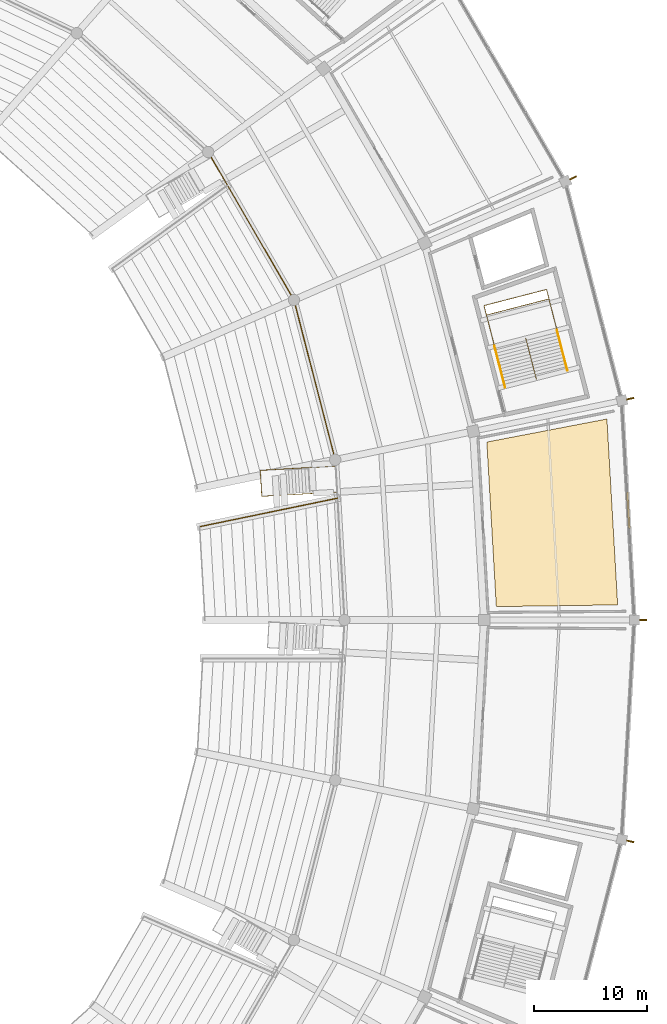
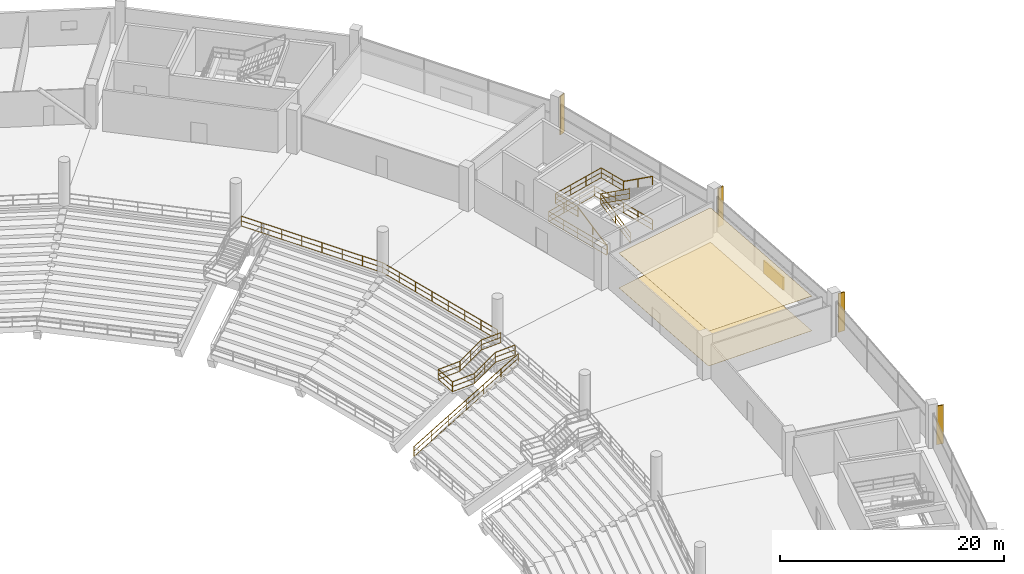
# One storey, part 151 of 156: 9 railings, 5 shading devices, 2 coverings.
"""IFC4 building model written with IfcOpenShell, lengths in metres."""

from ifc_helpers import new_model, si_unit, direction, frame, origin, origin_2d, place, context, subcontext, project, spatial, polyline, rectangle, outline, extrude, material, layer, layer_set, type_object, element, save


model = new_model("IFC4")

# Units and contexts
model_context = context("Model", 3, precision=1e-05, world=origin(), true_north=direction((0.0, 1.0)))
body_context = subcontext(model_context, "Body", "Model", "MODEL_VIEW")
ifc_project = project(units=[si_unit("LENGTHUNIT", "METRE"), si_unit("AREAUNIT", "SQUARE_METRE"), si_unit("VOLUMEUNIT", "CUBIC_METRE"), si_unit("PLANEANGLEUNIT", "RADIAN"), si_unit("MASSUNIT", "GRAM", prefix="KILO")], contexts=[model_context])

# Site, building, storey
site_placement = place(None, origin())
site = spatial("IfcSite", under=ifc_project, at=site_placement, CompositionType="ELEMENT")
building_placement = place(site_placement, origin())
building = spatial("IfcBuilding", under=site, at=building_placement, Name="Kazemori Nagisa Stadium", CompositionType="ELEMENT")
storey_placement = place(building_placement, frame((0.0, 0.0, 5.780029296875)))
storey = spatial("IfcBuildingStorey", under=building, at=storey_placement, Name="L01", CompositionType="ELEMENT", Elevation=5.780029296875)

# Coverings
ifc_material_1 = material(Name="Mineral-fibre acoustic board", Category="gypsum")
ifc_layer_1 = layer(ifc_material_1, 0.02001953125, Name="Mineral-fibre acoustic board", Category="gypsum")
ifc_layer_set_1 = layer_set([ifc_layer_1], Name="Mineral-fibre acoustic board")
covering_type_1 = type_object("IfcCoveringType", Name="Cov_CEIL", PredefinedType="CEILING", material=ifc_layer_set_1)
covering_1_placement = place(storey_placement, frame((0.0, 0.0, 3.77001953125)))
element("IfcCovering", 1, at=covering_1_placement, inside=storey, type_object=covering_type_1, Name="Acoustic ceiling L01-B01", PredefinedType="CEILING", context=body_context, shape_type="SweptSolid", body=[
    extrude(outline(polyline([(205.771728515625, 103.18408203125), (204.932373046875, 117.730712890625), (215.5498046875, 119.769287109375), (216.497802734375, 103.33740234375), (205.771728515625, 103.18408203125)])), origin(), (0.0, 0.0, 1.0), 0.02001953125),
])
ifc_material_2 = material(Name="Porcelain stoneware tile", Category="masonry")
ifc_layer_2 = layer(ifc_material_2, 0.02490234375, Name="Porcelain stoneware tile", Category="masonry")
ifc_layer_set_2 = layer_set([ifc_layer_2], Name="Porcelain stoneware tile")
covering_type_2 = type_object("IfcCoveringType", Name="Cov_FLOOR", PredefinedType="FLOORING", material=ifc_layer_set_2)
covering_2_placement = place(storey_placement, origin())
element("IfcCovering", 2, at=covering_2_placement, inside=storey, type_object=covering_type_2, Name="Porcelain floor finish L01-B01", PredefinedType="FLOORING", context=body_context, shape_type="SweptSolid", body=[
    extrude(outline(polyline([(205.771728515625, 103.18408203125), (204.932373046875, 117.730712890625), (215.5498046875, 119.769287109375), (216.497802734375, 103.33740234375), (205.771728515625, 103.18408203125)])), origin(), (0.0, 0.0, 1.0), 0.02490234375),
])

# Shading devices
ifc_material_3 = material(Name="Aluminium 6063-T5 anodised", Category="aluminium")
shading_device_type_1 = type_object("IfcShadingDeviceType", Name="Fin_FN01", PredefinedType="USERDEFINED", material=ifc_material_3)
for number, where, z_axis, x_axis, name in (
    (3, (218.7548828125, 102.0, 0.0), (0.0, 0.0, 1.0), (1.0, 0.0, 0.0), "Aerodynamic wave shading fin L01-01"),
    (4, (217.616943359375, 121.565673828125, 0.0), (0.0, 0.0, 1.0), (0.974927912182, 0.222520933954, 0.0), "Aerodynamic wave shading fin L01-02"),
    (5, (212.565185546875, 141.0771484375, 0.0), (0.0, 0.0, 1.0), (0.900968867905, 0.433883739113, 0.0), "Aerodynamic wave shading fin L01-03"),
    (6, (217.616943359375, 82.434326171875, 0.0), (0.0, 0.0, 1.0), (0.974927912182, -0.222520933954, 0.0), "Aerodynamic wave shading fin L01-28"),
):
    element("IfcShadingDevice", number, at=place(storey_placement, frame(where, z_axis=z_axis, x_axis=x_axis)), inside=storey, type_object=shading_device_type_1, Name=name, ObjectType="FIN", PredefinedType="USERDEFINED", context=body_context, shape_type="SweptSolid", body=[
        extrude(rectangle(XDim=0.64990234375, YDim=0.1201171875, at=origin_2d()), origin(), (0.0, 0.0, 1.0), 4.199951171875),
    ])
shading_device_type_2 = type_object("IfcShadingDeviceType", Name="Louvre_LV01", PredefinedType="JALOUSIE", material=ifc_material_3)
shading_device_placement = place(storey_placement, frame((217.4404296875, 111.69873046875, -0.010009765625), z_axis=(0.0, 0.0, 1.0), x_axis=(-0.057601670941, 0.998339645364, 0.0)))
element("IfcShadingDevice", 7, at=shading_device_placement, inside=storey, type_object=shading_device_type_2, Name="Concourse ventilation louvre L01-B01", PredefinedType="JALOUSIE", context=body_context, shape_type="SweptSolid", body=[
    extrude(rectangle(XDim=3.199951171875, YDim=0.179931640625, at=origin_2d()), origin(), (0.0, 0.0, 1.0), 1.39990234375),
])

# Railings
ifc_material_4 = material(Name="Laminated safety glass and stainless steel SUS304", Category="steel")
railing_type_1 = type_object("IfcRailingType", Name="Rail_BAL", PredefinedType="BALUSTRADE", material=ifc_material_4)
railing_1_placement = place(storey_placement, frame((191.532958984375, 116.160400390625, 0.0)))
element("IfcRailing", 8, at=railing_1_placement, inside=storey, type_object=railing_type_1, Name="Concourse bowl balustrade L01-B02", PredefinedType="BALUSTRADE", context=body_context, shape_type="SweptSolid", body=[
    extrude(rectangle(XDim=0.050048828125, YDim=0.050048828125, at=origin_2d()), frame((0.0, 0.0, 1.09521484375), z_axis=(-0.249966077383, 0.9682545947, 0.0), x_axis=(-0.9682545947, -0.249966077383, 0.0)), (0.0, 0.0, 1.0), 14.58984375),
    extrude(rectangle(XDim=0.03759765625, YDim=0.03759765625, at=origin_2d()), frame((0.0, 0.0, 0.58251953125), z_axis=(-0.249966077383, 0.9682545947, 0.0), x_axis=(-0.9682545947, -0.249966077383, 0.0)), (0.0, 0.0, 1.0), 14.58984375),
    extrude(rectangle(XDim=0.03759765625, YDim=0.03759765625, at=origin_2d()), frame((0.0, 0.0, 0.02490234375), z_axis=(-0.249966077383, 0.9682545947, 0.0), x_axis=(-0.9682545947, -0.249966077383, 0.0)), (0.0, 0.0, 1.0), 14.58984375),
    extrude(rectangle(XDim=0.044921875, YDim=0.044921875, at=origin_2d()), origin(), (0.0, 0.0, 1.0), 1.070068359375),
    extrude(rectangle(XDim=0.044921875, YDim=0.044921875, at=origin_2d()), frame((-0.52099609375, 2.01806640625, 0.0)), (0.0, 0.0, 1.0), 1.070068359375),
    extrude(rectangle(XDim=0.044921875, YDim=0.044921875, at=origin_2d()), frame((-1.0419921875, 4.0361328125, 0.0)), (0.0, 0.0, 1.0), 1.070068359375),
    extrude(rectangle(XDim=0.044921875, YDim=0.044921875, at=origin_2d()), frame((-1.56298828125, 6.05419921875, 0.0)), (0.0, 0.0, 1.0), 1.070068359375),
    extrude(rectangle(XDim=0.044921875, YDim=0.044921875, at=origin_2d()), frame((-2.083984375, 8.072509765625, 0.0)), (0.0, 0.0, 1.0), 1.070068359375),
    extrude(rectangle(XDim=0.044921875, YDim=0.044921875, at=origin_2d()), frame((-2.60498046875, 10.090576171875, 0.0)), (0.0, 0.0, 1.0), 1.070068359375),
    extrude(rectangle(XDim=0.044921875, YDim=0.044921875, at=origin_2d()), frame((-3.1259765625, 12.108642578125, 0.0)), (0.0, 0.0, 1.0), 1.070068359375),
    extrude(rectangle(XDim=0.044921875, YDim=0.044921875, at=origin_2d()), frame((-3.64697265625, 14.126708984375, 0.0)), (0.0, 0.0, 1.0), 1.070068359375),
])
railing_2_placement = place(storey_placement, frame((187.885986328125, 130.287109375, 0.0)))
element("IfcRailing", 9, at=railing_2_placement, inside=storey, type_object=railing_type_1, Name="Concourse bowl balustrade L01-B03", PredefinedType="BALUSTRADE", context=body_context, shape_type="SweptSolid", body=[
    extrude(rectangle(XDim=0.050048828125, YDim=0.050048828125, at=origin_2d()), frame((0.0, 0.0, 1.09521484375), z_axis=(-0.501614770263, 0.865091106332, 0.0), x_axis=(-0.865091106332, -0.501614770263, 0.0)), (0.0, 0.0, 1.0), 14.570068359375),
    extrude(rectangle(XDim=0.03759765625, YDim=0.03759765625, at=origin_2d()), frame((0.0, 0.0, 0.58251953125), z_axis=(-0.501614770263, 0.865091106332, 0.0), x_axis=(-0.865091106332, -0.501614770263, 0.0)), (0.0, 0.0, 1.0), 14.570068359375),
    extrude(rectangle(XDim=0.03759765625, YDim=0.03759765625, at=origin_2d()), frame((0.0, 0.0, 0.02490234375), z_axis=(-0.501614770263, 0.865091106332, 0.0), x_axis=(-0.865091106332, -0.501614770263, 0.0)), (0.0, 0.0, 1.0), 14.570068359375),
    extrude(rectangle(XDim=0.044921875, YDim=0.044921875, at=origin_2d()), origin(), (0.0, 0.0, 1.0), 1.070068359375),
    extrude(rectangle(XDim=0.044921875, YDim=0.044921875, at=origin_2d()), frame((-1.044189453125, 1.800537109375, 0.0)), (0.0, 0.0, 1.0), 1.070068359375),
    extrude(rectangle(XDim=0.044921875, YDim=0.044921875, at=origin_2d()), frame((-2.088134765625, 3.601318359375, 0.0)), (0.0, 0.0, 1.0), 1.070068359375),
    extrude(rectangle(XDim=0.044921875, YDim=0.044921875, at=origin_2d()), frame((-3.13232421875, 5.40185546875, 0.0)), (0.0, 0.0, 1.0), 1.070068359375),
    extrude(rectangle(XDim=0.044921875, YDim=0.044921875, at=origin_2d()), frame((-4.17626953125, 7.20263671875, 0.0)), (0.0, 0.0, 1.0), 1.070068359375),
    extrude(rectangle(XDim=0.044921875, YDim=0.044921875, at=origin_2d()), frame((-5.220458984375, 9.003173828125, 0.0)), (0.0, 0.0, 1.0), 1.070068359375),
    extrude(rectangle(XDim=0.044921875, YDim=0.044921875, at=origin_2d()), frame((-6.264404296875, 10.803955078125, 0.0)), (0.0, 0.0, 1.0), 1.070068359375),
    extrude(rectangle(XDim=0.044921875, YDim=0.044921875, at=origin_2d()), frame((-7.30859375, 12.6044921875, 0.0)), (0.0, 0.0, 1.0), 1.070068359375),
])
ifc_material_5 = material(Name="Galvanised powder-coated steel", Category="steel")
railing_type_2 = type_object("IfcRailingType", Name="Rail_GUARD", PredefinedType="GUARDRAIL", material=ifc_material_5)
railing_3_placement = place(storey_placement, frame((206.533447265625, 122.641357421875, 0.0)))
element("IfcRailing", 10, at=railing_3_placement, inside=storey, type_object=railing_type_2, Name="Stair well perimeter guard ST07-L01", PredefinedType="GUARDRAIL", context=body_context, shape_type="SweptSolid", body=[
    extrude(rectangle(XDim=0.050048828125, YDim=0.050048828125, at=origin_2d()), frame((0.0, 0.0, 1.09521484375), z_axis=(-0.249962060638, 0.96825563166, 0.0), x_axis=(-0.96825563166, -0.249962060638, 0.0)), (0.0, 0.0, 1.0), 7.380126953125),
    extrude(rectangle(XDim=0.03759765625, YDim=0.03759765625, at=origin_2d()), frame((0.0, 0.0, 0.58251953125), z_axis=(-0.249962060638, 0.96825563166, 0.0), x_axis=(-0.96825563166, -0.249962060638, 0.0)), (0.0, 0.0, 1.0), 7.380126953125),
    extrude(rectangle(XDim=0.03759765625, YDim=0.03759765625, at=origin_2d()), frame((0.0, 0.0, 0.02490234375), z_axis=(-0.249962060638, 0.96825563166, 0.0), x_axis=(-0.96825563166, -0.249962060638, 0.0)), (0.0, 0.0, 1.0), 7.380126953125),
    extrude(rectangle(XDim=0.050048828125, YDim=0.050048828125, at=origin_2d()), frame((-1.8447265625, 7.145751953125, 1.09521484375), z_axis=(0.968254587534, 0.249966105142, 0.0), x_axis=(-0.249966105142, 0.968254587534, 0.0)), (0.0, 0.0, 1.0), 5.699951171875),
    extrude(rectangle(XDim=0.03759765625, YDim=0.03759765625, at=origin_2d()), frame((-1.8447265625, 7.145751953125, 0.58251953125), z_axis=(0.968254587534, 0.249966105142, 0.0), x_axis=(-0.249966105142, 0.968254587534, 0.0)), (0.0, 0.0, 1.0), 5.699951171875),
    extrude(rectangle(XDim=0.03759765625, YDim=0.03759765625, at=origin_2d()), frame((-1.8447265625, 7.145751953125, 0.02490234375), z_axis=(0.968254587534, 0.249966105142, 0.0), x_axis=(-0.249966105142, 0.968254587534, 0.0)), (0.0, 0.0, 1.0), 5.699951171875),
    extrude(rectangle(XDim=0.050048828125, YDim=0.050048828125, at=origin_2d()), frame((3.67431640625, 8.570556640625, 1.09521484375), z_axis=(0.249962060638, -0.96825563166, 0.0), x_axis=(0.96825563166, 0.249962060638, 0.0)), (0.0, 0.0, 1.0), 7.380126953125),
    extrude(rectangle(XDim=0.03759765625, YDim=0.03759765625, at=origin_2d()), frame((3.67431640625, 8.570556640625, 0.58251953125), z_axis=(0.249962060638, -0.96825563166, 0.0), x_axis=(0.96825563166, 0.249962060638, 0.0)), (0.0, 0.0, 1.0), 7.380126953125),
    extrude(rectangle(XDim=0.03759765625, YDim=0.03759765625, at=origin_2d()), frame((3.67431640625, 8.570556640625, 0.02490234375), z_axis=(0.249962060638, -0.96825563166, 0.0), x_axis=(0.96825563166, 0.249962060638, 0.0)), (0.0, 0.0, 1.0), 7.380126953125),
    extrude(rectangle(XDim=0.044921875, YDim=0.044921875, at=origin_2d()), origin(), (0.0, 0.0, 1.0), 1.070068359375),
    extrude(rectangle(XDim=0.044921875, YDim=0.044921875, at=origin_2d()), frame((-0.461181640625, 1.786376953125, 0.0)), (0.0, 0.0, 1.0), 1.070068359375),
    extrude(rectangle(XDim=0.044921875, YDim=0.044921875, at=origin_2d()), frame((-0.92236328125, 3.57275390625, 0.0)), (0.0, 0.0, 1.0), 1.070068359375),
    extrude(rectangle(XDim=0.044921875, YDim=0.044921875, at=origin_2d()), frame((-1.383544921875, 5.359375, 0.0)), (0.0, 0.0, 1.0), 1.070068359375),
    extrude(rectangle(XDim=0.044921875, YDim=0.044921875, at=origin_2d()), frame((-1.8447265625, 7.145751953125, 0.0)), (0.0, 0.0, 1.0), 1.070068359375),
    extrude(rectangle(XDim=0.044921875, YDim=0.044921875, at=origin_2d()), frame((-0.005126953125, 7.62060546875, 0.0)), (0.0, 0.0, 1.0), 1.070068359375),
    extrude(rectangle(XDim=0.044921875, YDim=0.044921875, at=origin_2d()), frame((1.834716796875, 8.095703125, 0.0)), (0.0, 0.0, 1.0), 1.070068359375),
    extrude(rectangle(XDim=0.044921875, YDim=0.044921875, at=origin_2d()), frame((3.67431640625, 8.570556640625, 0.0)), (0.0, 0.0, 1.0), 1.070068359375),
    extrude(rectangle(XDim=0.044921875, YDim=0.044921875, at=origin_2d()), frame((4.135498046875, 6.7841796875, 0.0)), (0.0, 0.0, 1.0), 1.070068359375),
    extrude(rectangle(XDim=0.044921875, YDim=0.044921875, at=origin_2d()), frame((4.5966796875, 4.99755859375, 0.0)), (0.0, 0.0, 1.0), 1.070068359375),
    extrude(rectangle(XDim=0.044921875, YDim=0.044921875, at=origin_2d()), frame((5.057861328125, 3.211181640625, 0.0)), (0.0, 0.0, 1.0), 1.070068359375),
    extrude(rectangle(XDim=0.044921875, YDim=0.044921875, at=origin_2d()), frame((5.51904296875, 1.4248046875, 0.0)), (0.0, 0.0, 1.0), 1.070068359375),
])
railing_4_placement = place(storey_placement, frame((209.31298828125, 123.2763671875, 0.0)))
element("IfcRailing", 11, at=railing_4_placement, inside=storey, type_object=railing_type_2, Name="Stair central guard ST07-L01", PredefinedType="GUARDRAIL", context=body_context, shape_type="SweptSolid", body=[
    extrude(rectangle(XDim=0.050048828125, YDim=0.050048828125, at=origin_2d()), frame((0.0, 0.0, 1.09521484375), z_axis=(-0.211103181909, 0.817832618365, 0.535336580971), x_axis=(-0.968263113111, -0.249933078619, 0.0)), (0.0, 0.0, 1.0), 4.445556640625),
    extrude(rectangle(XDim=0.03759765625, YDim=0.03759765625, at=origin_2d()), frame((0.0, 0.0, 0.58251953125), z_axis=(-0.211103181909, 0.817832618365, 0.535336580971), x_axis=(-0.968263113111, -0.249933078619, 0.0)), (0.0, 0.0, 1.0), 4.445556640625),
    extrude(rectangle(XDim=0.03759765625, YDim=0.03759765625, at=origin_2d()), frame((0.0, 0.0, 0.02490234375), z_axis=(-0.211103181909, 0.817832618365, 0.535336580971), x_axis=(-0.968263113111, -0.249933078619, 0.0)), (0.0, 0.0, 1.0), 4.445556640625),
    extrude(rectangle(XDim=0.050048828125, YDim=0.050048828125, at=origin_2d()), frame((-0.9384765625, 3.6357421875, 3.47509765625), z_axis=(0.209769833821, -0.812704765535, 0.543606089825), x_axis=(0.96826591561, 0.249922221237, 0.0)), (0.0, 0.0, 1.0), 4.37841796875),
    extrude(rectangle(XDim=0.03759765625, YDim=0.03759765625, at=origin_2d()), frame((-0.9384765625, 3.6357421875, 2.96240234375), z_axis=(0.209769833821, -0.812704765535, 0.543606089825), x_axis=(0.96826591561, 0.249922221237, 0.0)), (0.0, 0.0, 1.0), 4.37841796875),
    extrude(rectangle(XDim=0.03759765625, YDim=0.03759765625, at=origin_2d()), frame((-0.9384765625, 3.6357421875, 2.40478515625), z_axis=(0.209769833821, -0.812704765535, 0.543606089825), x_axis=(0.96826591561, 0.249922221237, 0.0)), (0.0, 0.0, 1.0), 4.37841796875),
    extrude(rectangle(XDim=0.044921875, YDim=0.044921875, at=origin_2d()), origin(), (0.0, 0.0, 1.0), 1.070068359375),
    extrude(rectangle(XDim=0.044921875, YDim=0.044921875, at=origin_2d()), frame((-0.46923828125, 1.81787109375, 1.18994140625)), (0.0, 0.0, 1.0), 1.070068359375),
    extrude(rectangle(XDim=0.044921875, YDim=0.044921875, at=origin_2d()), frame((-0.9384765625, 3.6357421875, 2.3798828125)), (0.0, 0.0, 1.0), 1.070068359375),
    extrude(rectangle(XDim=0.044921875, YDim=0.044921875, at=origin_2d()), frame((-0.479248046875, 1.8564453125, 3.56982421875)), (0.0, 0.0, 1.0), 1.070068359375),
    extrude(rectangle(XDim=0.044921875, YDim=0.044921875, at=origin_2d()), frame((-0.02001953125, 0.077392578125, 4.760009765625)), (0.0, 0.0, 1.0), 1.070068359375),
])
railing_5_placement = place(storey_placement, frame((205.614990234375, 126.19970703125, 2.3798828125)))
element("IfcRailing", 12, at=railing_5_placement, inside=storey, type_object=railing_type_2, Name="Stair landing guard ST07-L01", PredefinedType="GUARDRAIL", context=body_context, shape_type="SweptSolid", body=[
    extrude(rectangle(XDim=0.050048828125, YDim=0.050048828125, at=origin_2d()), frame((0.0, 0.0, 1.09521484375), z_axis=(-0.249966105142, 0.968254587534, 0.0), x_axis=(-0.968254587534, -0.249966105142, 0.0)), (0.0, 0.0, 1.0), 2.85009765625),
    extrude(rectangle(XDim=0.03759765625, YDim=0.03759765625, at=origin_2d()), frame((0.0, 0.0, 0.58251953125), z_axis=(-0.249966105142, 0.968254587534, 0.0), x_axis=(-0.968254587534, -0.249966105142, 0.0)), (0.0, 0.0, 1.0), 2.85009765625),
    extrude(rectangle(XDim=0.03759765625, YDim=0.03759765625, at=origin_2d()), frame((0.0, 0.0, 0.02490234375), z_axis=(-0.249966105142, 0.968254587534, 0.0), x_axis=(-0.968254587534, -0.249966105142, 0.0)), (0.0, 0.0, 1.0), 2.85009765625),
    extrude(rectangle(XDim=0.050048828125, YDim=0.050048828125, at=origin_2d()), frame((-0.71240234375, 2.759521484375, 1.09521484375), z_axis=(0.968254587534, 0.249966105142, 0.0), x_axis=(-0.249966105142, 0.968254587534, 0.0)), (0.0, 0.0, 1.0), 5.699951171875),
    extrude(rectangle(XDim=0.03759765625, YDim=0.03759765625, at=origin_2d()), frame((-0.71240234375, 2.759521484375, 0.58251953125), z_axis=(0.968254587534, 0.249966105142, 0.0), x_axis=(-0.249966105142, 0.968254587534, 0.0)), (0.0, 0.0, 1.0), 5.699951171875),
    extrude(rectangle(XDim=0.03759765625, YDim=0.03759765625, at=origin_2d()), frame((-0.71240234375, 2.759521484375, 0.02490234375), z_axis=(0.968254587534, 0.249966105142, 0.0), x_axis=(-0.249966105142, 0.968254587534, 0.0)), (0.0, 0.0, 1.0), 5.699951171875),
    extrude(rectangle(XDim=0.050048828125, YDim=0.050048828125, at=origin_2d()), frame((4.806640625, 4.184326171875, 1.09521484375), z_axis=(0.249966105142, -0.968254587534, 0.0), x_axis=(0.968254587534, 0.249966105142, 0.0)), (0.0, 0.0, 1.0), 2.85009765625),
    extrude(rectangle(XDim=0.03759765625, YDim=0.03759765625, at=origin_2d()), frame((4.806640625, 4.184326171875, 0.58251953125), z_axis=(0.249966105142, -0.968254587534, 0.0), x_axis=(0.968254587534, 0.249966105142, 0.0)), (0.0, 0.0, 1.0), 2.85009765625),
    extrude(rectangle(XDim=0.03759765625, YDim=0.03759765625, at=origin_2d()), frame((4.806640625, 4.184326171875, 0.02490234375), z_axis=(0.249966105142, -0.968254587534, 0.0), x_axis=(0.968254587534, 0.249966105142, 0.0)), (0.0, 0.0, 1.0), 2.85009765625),
    extrude(rectangle(XDim=0.044921875, YDim=0.044921875, at=origin_2d()), origin(), (0.0, 0.0, 1.0), 1.070068359375),
    extrude(rectangle(XDim=0.044921875, YDim=0.044921875, at=origin_2d()), frame((-0.356201171875, 1.3798828125, 0.0)), (0.0, 0.0, 1.0), 1.070068359375),
    extrude(rectangle(XDim=0.044921875, YDim=0.044921875, at=origin_2d()), frame((-0.71240234375, 2.759521484375, 0.0)), (0.0, 0.0, 1.0), 1.070068359375),
    extrude(rectangle(XDim=0.044921875, YDim=0.044921875, at=origin_2d()), frame((1.127197265625, 3.234375, 0.0)), (0.0, 0.0, 1.0), 1.070068359375),
    extrude(rectangle(XDim=0.044921875, YDim=0.044921875, at=origin_2d()), frame((2.967041015625, 3.70947265625, 0.0)), (0.0, 0.0, 1.0), 1.070068359375),
    extrude(rectangle(XDim=0.044921875, YDim=0.044921875, at=origin_2d()), frame((4.806640625, 4.184326171875, 0.0)), (0.0, 0.0, 1.0), 1.070068359375),
    extrude(rectangle(XDim=0.044921875, YDim=0.044921875, at=origin_2d()), frame((5.162841796875, 2.8046875, 0.0)), (0.0, 0.0, 1.0), 1.070068359375),
    extrude(rectangle(XDim=0.044921875, YDim=0.044921875, at=origin_2d()), frame((5.51904296875, 1.4248046875, 0.0)), (0.0, 0.0, 1.0), 1.070068359375),
])
railing_6_placement = place(storey_placement, frame((191.564697265625, 115.611328125, 0.0)))
element("IfcRailing", 13, at=railing_6_placement, inside=storey, type_object=railing_type_2, Name="Vomitory stair guard VL01", PredefinedType="GUARDRAIL", context=body_context, shape_type="SweptSolid", body=[
    extrude(rectangle(XDim=0.050048828125, YDim=0.050048828125, at=origin_2d()), frame((0.0, 0.0, 1.09521484375), z_axis=(-0.998335953918, -0.057665614667, 0.0), x_axis=(0.057665614667, -0.998335953918, 0.0)), (0.0, 0.0, 1.0), 2.099853515625),
    extrude(rectangle(XDim=0.03759765625, YDim=0.03759765625, at=origin_2d()), frame((0.0, 0.0, 0.58251953125), z_axis=(-0.998335953918, -0.057665614667, 0.0), x_axis=(0.057665614667, -0.998335953918, 0.0)), (0.0, 0.0, 1.0), 2.099853515625),
    extrude(rectangle(XDim=0.03759765625, YDim=0.03759765625, at=origin_2d()), frame((0.0, 0.0, 0.02490234375), z_axis=(-0.998335953918, -0.057665614667, 0.0), x_axis=(0.057665614667, -0.998335953918, 0.0)), (0.0, 0.0, 1.0), 2.099853515625),
    extrude(rectangle(XDim=0.050048828125, YDim=0.050048828125, at=origin_2d()), frame((-2.096435546875, -0.12109375, 1.09521484375), z_axis=(-0.840890420226, -0.048528726567, -0.539025290566), x_axis=(0.057615252206, -0.998338861666, 0.0)), (0.0, 0.0, 1.0), 2.67138671875),
    extrude(rectangle(XDim=0.03759765625, YDim=0.03759765625, at=origin_2d()), frame((-2.096435546875, -0.12109375, 0.58251953125), z_axis=(-0.840890420226, -0.048528726567, -0.539025290566), x_axis=(0.057615252206, -0.998338861666, 0.0)), (0.0, 0.0, 1.0), 2.67138671875),
    extrude(rectangle(XDim=0.03759765625, YDim=0.03759765625, at=origin_2d()), frame((-2.096435546875, -0.12109375, 0.02490234375), z_axis=(-0.840890420226, -0.048528726567, -0.539025290566), x_axis=(0.057615252206, -0.998338861666, 0.0)), (0.0, 0.0, 1.0), 2.67138671875),
    extrude(rectangle(XDim=0.050048828125, YDim=0.050048828125, at=origin_2d()), frame((-4.3427734375, -0.250732421875, -0.3447265625), z_axis=(-0.998341919289, -0.057562246216, 0.0), x_axis=(0.057562246216, -0.998341919289, 0.0)), (0.0, 0.0, 1.0), 2.320068359375),
    extrude(rectangle(XDim=0.03759765625, YDim=0.03759765625, at=origin_2d()), frame((-4.3427734375, -0.250732421875, -0.857421875), z_axis=(-0.998341919289, -0.057562246216, 0.0), x_axis=(0.057562246216, -0.998341919289, 0.0)), (0.0, 0.0, 1.0), 2.320068359375),
    extrude(rectangle(XDim=0.03759765625, YDim=0.03759765625, at=origin_2d()), frame((-4.3427734375, -0.250732421875, -1.4150390625), z_axis=(-0.998341919289, -0.057562246216, 0.0), x_axis=(0.057562246216, -0.998341919289, 0.0)), (0.0, 0.0, 1.0), 2.320068359375),
    extrude(rectangle(XDim=0.050048828125, YDim=0.050048828125, at=origin_2d()), frame((-6.658935546875, -0.38427734375, -0.3447265625), z_axis=(0.057639260964, -0.998337475804, 0.0), x_axis=(0.998337475804, 0.057639260964, 0.0)), (0.0, 0.0, 1.0), 2.300048828125),
    extrude(rectangle(XDim=0.03759765625, YDim=0.03759765625, at=origin_2d()), frame((-6.658935546875, -0.38427734375, -0.857421875), z_axis=(0.057639260964, -0.998337475804, 0.0), x_axis=(0.998337475804, 0.057639260964, 0.0)), (0.0, 0.0, 1.0), 2.300048828125),
    extrude(rectangle(XDim=0.03759765625, YDim=0.03759765625, at=origin_2d()), frame((-6.658935546875, -0.38427734375, -1.4150390625), z_axis=(0.057639260964, -0.998337475804, 0.0), x_axis=(0.998337475804, 0.057639260964, 0.0)), (0.0, 0.0, 1.0), 2.300048828125),
    extrude(rectangle(XDim=0.050048828125, YDim=0.050048828125, at=origin_2d()), frame((-6.5263671875, -2.680419921875, -0.3447265625), z_axis=(0.998341919289, 0.057562246216, 0.0), x_axis=(-0.057562246216, 0.998341919289, 0.0)), (0.0, 0.0, 1.0), 2.320068359375),
    extrude(rectangle(XDim=0.03759765625, YDim=0.03759765625, at=origin_2d()), frame((-6.5263671875, -2.680419921875, -0.857421875), z_axis=(0.998341919289, 0.057562246216, 0.0), x_axis=(-0.057562246216, 0.998341919289, 0.0)), (0.0, 0.0, 1.0), 2.320068359375),
    extrude(rectangle(XDim=0.03759765625, YDim=0.03759765625, at=origin_2d()), frame((-6.5263671875, -2.680419921875, -1.4150390625), z_axis=(0.998341919289, 0.057562246216, 0.0), x_axis=(-0.057562246216, 0.998341919289, 0.0)), (0.0, 0.0, 1.0), 2.320068359375),
    extrude(rectangle(XDim=0.050048828125, YDim=0.050048828125, at=origin_2d()), frame((-4.210205078125, -2.546875, -0.3447265625), z_axis=(0.840863648356, 0.048532456226, 0.539066717175), x_axis=(-0.057621493941, 0.998338501429, 0.0)), (0.0, 0.0, 1.0), 2.671142578125),
    extrude(rectangle(XDim=0.03759765625, YDim=0.03759765625, at=origin_2d()), frame((-4.210205078125, -2.546875, -0.857421875), z_axis=(0.840863648356, 0.048532456226, 0.539066717175), x_axis=(-0.057621493941, 0.998338501429, 0.0)), (0.0, 0.0, 1.0), 2.671142578125),
    extrude(rectangle(XDim=0.03759765625, YDim=0.03759765625, at=origin_2d()), frame((-4.210205078125, -2.546875, -1.4150390625), z_axis=(0.840863648356, 0.048532456226, 0.539066717175), x_axis=(-0.057621493941, 0.998338501429, 0.0)), (0.0, 0.0, 1.0), 2.671142578125),
    extrude(rectangle(XDim=0.050048828125, YDim=0.050048828125, at=origin_2d()), frame((-1.964111328125, -2.417236328125, 1.09521484375), z_axis=(0.998343025352, 0.057543059798, 0.0), x_axis=(-0.057543059798, 0.998343025352, 0.0)), (0.0, 0.0, 1.0), 2.10009765625),
    extrude(rectangle(XDim=0.03759765625, YDim=0.03759765625, at=origin_2d()), frame((-1.964111328125, -2.417236328125, 0.58251953125), z_axis=(0.998343025352, 0.057543059798, 0.0), x_axis=(-0.057543059798, 0.998343025352, 0.0)), (0.0, 0.0, 1.0), 2.10009765625),
    extrude(rectangle(XDim=0.03759765625, YDim=0.03759765625, at=origin_2d()), frame((-1.964111328125, -2.417236328125, 0.02490234375), z_axis=(0.998343025352, 0.057543059798, 0.0), x_axis=(-0.057543059798, 0.998343025352, 0.0)), (0.0, 0.0, 1.0), 2.10009765625),
    extrude(rectangle(XDim=0.044921875, YDim=0.044921875, at=origin_2d()), origin(), (0.0, 0.0, 1.0), 1.070068359375),
    extrude(rectangle(XDim=0.044921875, YDim=0.044921875, at=origin_2d()), frame((-2.096435546875, -0.12109375, 0.0)), (0.0, 0.0, 1.0), 1.070068359375),
    extrude(rectangle(XDim=0.044921875, YDim=0.044921875, at=origin_2d()), frame((-3.2197265625, -0.18603515625, -0.719970703125)), (0.0, 0.0, 1.0), 1.070068359375),
    extrude(rectangle(XDim=0.044921875, YDim=0.044921875, at=origin_2d()), frame((-4.3427734375, -0.250732421875, -1.43994140625)), (0.0, 0.0, 1.0), 1.070068359375),
    extrude(rectangle(XDim=0.044921875, YDim=0.044921875, at=origin_2d()), frame((-6.658935546875, -0.38427734375, -1.43994140625)), (0.0, 0.0, 1.0), 1.070068359375),
    extrude(rectangle(XDim=0.044921875, YDim=0.044921875, at=origin_2d()), frame((-6.5263671875, -2.680419921875, -1.43994140625)), (0.0, 0.0, 1.0), 1.070068359375),
    extrude(rectangle(XDim=0.044921875, YDim=0.044921875, at=origin_2d()), frame((-4.210205078125, -2.546875, -1.43994140625)), (0.0, 0.0, 1.0), 1.070068359375),
    extrude(rectangle(XDim=0.044921875, YDim=0.044921875, at=origin_2d()), frame((-3.087158203125, -2.48193359375, -0.719970703125)), (0.0, 0.0, 1.0), 1.070068359375),
    extrude(rectangle(XDim=0.044921875, YDim=0.044921875, at=origin_2d()), frame((-1.964111328125, -2.417236328125, 0.0)), (0.0, 0.0, 1.0), 1.070068359375),
    extrude(rectangle(XDim=0.044921875, YDim=0.044921875, at=origin_2d()), frame((0.132568359375, -2.29638671875, 0.0)), (0.0, 0.0, 1.0), 1.070068359375),
])
railing_7_placement = place(storey_placement, frame((179.5244140625, 110.244140625, -4.919921875)))
element("IfcRailing", 14, at=railing_7_placement, inside=storey, type_object=railing_type_2, Name="Lower tier vomitory aisle guard B01", PredefinedType="GUARDRAIL", context=body_context, shape_type="SweptSolid", body=[
    extrude(rectangle(XDim=0.050048828125, YDim=0.050048828125, at=origin_2d()), frame((0.0, 0.0, 1.09521484375), z_axis=(0.92529933426, 0.191190398359, 0.327516982144), x_axis=(-0.202351009117, 0.979313059807, 0.0)), (0.0, 0.0, 1.0), 13.189697265625),
    extrude(rectangle(XDim=0.03759765625, YDim=0.03759765625, at=origin_2d()), frame((0.0, 0.0, 0.58251953125), z_axis=(0.92529933426, 0.191190398359, 0.327516982144), x_axis=(-0.202351009117, 0.979313059807, 0.0)), (0.0, 0.0, 1.0), 13.189697265625),
    extrude(rectangle(XDim=0.03759765625, YDim=0.03759765625, at=origin_2d()), frame((0.0, 0.0, 0.02490234375), z_axis=(0.92529933426, 0.191190398359, 0.327516982144), x_axis=(-0.202351009117, 0.979313059807, 0.0)), (0.0, 0.0, 1.0), 13.189697265625),
    extrude(rectangle(XDim=0.044921875, YDim=0.044921875, at=origin_2d()), origin(), (0.0, 0.0, 1.0), 1.070068359375),
    extrude(rectangle(XDim=0.044921875, YDim=0.044921875, at=origin_2d()), frame((2.0341796875, 0.42041015625, 0.719970703125)), (0.0, 0.0, 1.0), 1.070068359375),
    extrude(rectangle(XDim=0.044921875, YDim=0.044921875, at=origin_2d()), frame((4.068115234375, 0.840576171875, 1.43994140625)), (0.0, 0.0, 1.0), 1.070068359375),
    extrude(rectangle(XDim=0.044921875, YDim=0.044921875, at=origin_2d()), frame((6.10205078125, 1.2607421875, 2.159912109375)), (0.0, 0.0, 1.0), 1.070068359375),
    extrude(rectangle(XDim=0.044921875, YDim=0.044921875, at=origin_2d()), frame((8.13623046875, 1.68115234375, 2.8798828125)), (0.0, 0.0, 1.0), 1.070068359375),
    extrude(rectangle(XDim=0.044921875, YDim=0.044921875, at=origin_2d()), frame((10.17041015625, 2.1015625, 3.599853515625)), (0.0, 0.0, 1.0), 1.070068359375),
    extrude(rectangle(XDim=0.044921875, YDim=0.044921875, at=origin_2d()), frame((12.204345703125, 2.521728515625, 4.31982421875)), (0.0, 0.0, 1.0), 1.070068359375),
])
ifc_material_6 = material(Name="Stainless steel SUS304", Category="steel")
railing_type_3 = type_object("IfcRailingType", Name="Rail_HAND", PredefinedType="HANDRAIL", material=ifc_material_6)
railing_8_placement = place(storey_placement, frame((206.553466796875, 122.56396484375, 0.169921875)))
element("IfcRailing", 15, at=railing_8_placement, inside=storey, type_object=railing_type_3, Name="Stair handrail ST07-L01-F1", PredefinedType="HANDRAIL", context=body_context, shape_type="SweptSolid", body=[
    extrude(rectangle(XDim=0.050048828125, YDim=0.050048828125, at=origin_2d()), frame((0.0, 0.0, 0.875), z_axis=(-0.21109697556, 0.817808574412, 0.535375758256), x_axis=(-0.968263113111, -0.249933078619, 0.0)), (0.0, 0.0, 1.0), 4.44580078125),
    extrude(rectangle(XDim=0.044921875, YDim=0.044921875, at=origin_2d()), origin(), (0.0, 0.0, 1.0), 0.849853515625),
    extrude(rectangle(XDim=0.044921875, YDim=0.044921875, at=origin_2d()), frame((-0.46923828125, 1.81787109375, 1.18994140625)), (0.0, 0.0, 1.0), 0.849853515625),
    extrude(rectangle(XDim=0.044921875, YDim=0.044921875, at=origin_2d()), frame((-0.9384765625, 3.6357421875, 2.380126953125)), (0.0, 0.0, 1.0), 0.849853515625),
])
railing_9_placement = place(storey_placement, frame((211.134033203125, 127.62451171875, 2.550048828125)))
element("IfcRailing", 16, at=railing_9_placement, inside=storey, type_object=railing_type_3, Name="Stair handrail ST07-L01-F2", PredefinedType="HANDRAIL", context=body_context, shape_type="SweptSolid", body=[
    extrude(rectangle(XDim=0.050048828125, YDim=0.050048828125, at=origin_2d()), frame((0.0, 0.0, 0.875), z_axis=(0.209776192239, -0.812729399756, 0.543566805408), x_axis=(0.96826591561, 0.249922221237, 0.0)), (0.0, 0.0, 1.0), 4.378173828125),
    extrude(rectangle(XDim=0.044921875, YDim=0.044921875, at=origin_2d()), origin(), (0.0, 0.0, 1.0), 0.849853515625),
    extrude(rectangle(XDim=0.044921875, YDim=0.044921875, at=origin_2d()), frame((0.459228515625, -1.779296875, 1.18994140625)), (0.0, 0.0, 1.0), 0.849853515625),
    extrude(rectangle(XDim=0.044921875, YDim=0.044921875, at=origin_2d()), frame((0.91845703125, -3.558349609375, 2.3798828125)), (0.0, 0.0, 1.0), 0.849853515625),
])

save(model, "model.ifc")
